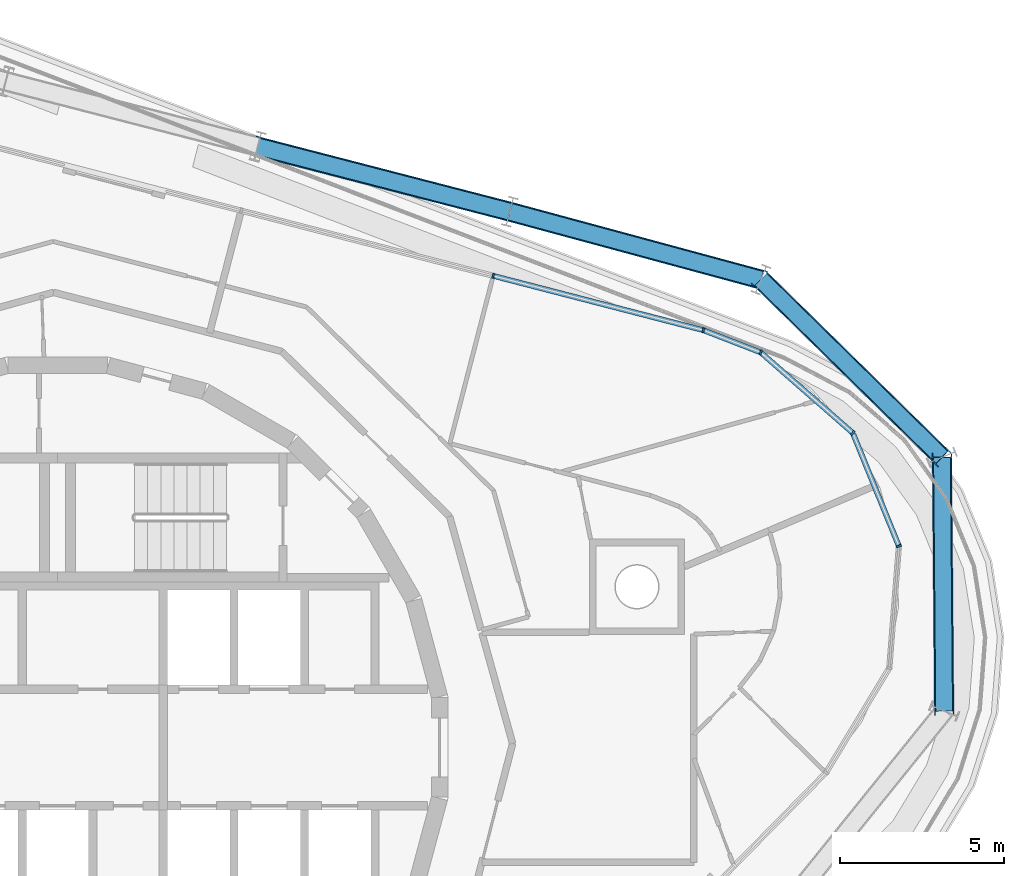
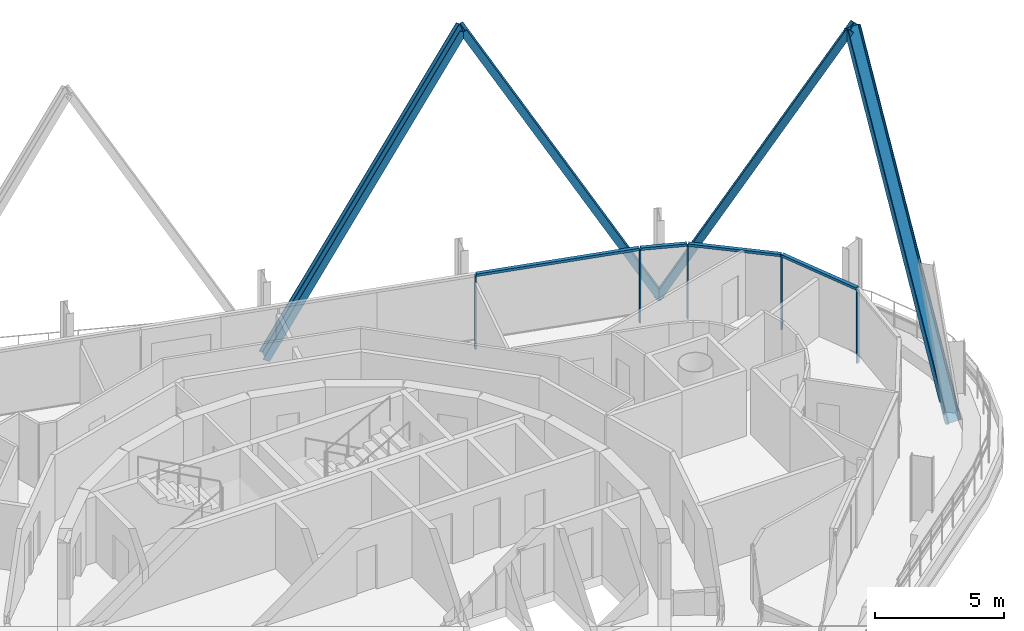
# One storey, part 7 of 18: 13 members, 2 elements without a shape of their own.
"""IFC4 building model written with IfcOpenShell, lengths in metres."""

from ifc_helpers import new_model, si_unit, direction, frame, origin, origin_2d, place, context, subcontext, project, spatial, rectangle, i_section, extrude, material, layer, layer_set, material_profile, profile_set, type_object, element, aggregate, save


model = new_model("IFC4")

# Units and contexts
model_context = context("Model", 3, precision=1e-05, world=origin(), true_north=direction((0.0, 1.0)))
body_context = subcontext(model_context, "Body", "Model", "MODEL_VIEW")
ifc_project = project(units=[si_unit("LENGTHUNIT", "METRE"), si_unit("AREAUNIT", "SQUARE_METRE"), si_unit("VOLUMEUNIT", "CUBIC_METRE"), si_unit("PLANEANGLEUNIT", "RADIAN"), si_unit("MASSUNIT", "GRAM", prefix="KILO")], contexts=[model_context])

# Site, building, storey
site_placement = place(None, origin())
site = spatial("IfcSite", under=ifc_project, at=site_placement, CompositionType="ELEMENT")
building_placement = place(site_placement, origin())
building = spatial("IfcBuilding", under=site, at=building_placement, Name="Spindle Arch Residences", CompositionType="ELEMENT")
storey_placement = place(building_placement, frame((0.0, 0.0, 298.199951171875)))
storey = spatial("IfcBuildingStorey", under=building, at=storey_placement, Name="L76", CompositionType="ELEMENT", Elevation=298.199951171875)

# Curtain wall, members
ifc_material_1 = material(Name="Aluminium bronze unitised frame with tinted glass", Category="aluminium")
ifc_layer_1 = layer(ifc_material_1, 0.159912109375)
ifc_layer_set_1 = layer_set([ifc_layer_1], Name="CW-D corner wall on the fillet arcs")
curtain_wall_type_1 = type_object("IfcCurtainWallType", Name="CW-D corner wall on the fillet arcs", PredefinedType="NOTDEFINED", material=ifc_layer_set_1)
curtain_wall_1_placement = place(storey_placement, origin())
curtain_wall_1 = element("IfcCurtainWall", 1, at=curtain_wall_1_placement, inside=storey, type_object=curtain_wall_type_1, Name="CW-D L76 run 1", PredefinedType="NOTDEFINED")
ifc_material_2 = material(Name="Aluminium bronze anodised mullion", Category="aluminium")
ifc_material_profile_1 = material_profile(ifc_material_2, rectangle(XDim=0.159912109375, YDim=0.06005859375, at=origin_2d()), Name="MU 60x160")
ifc_profile_set_1 = profile_set([ifc_material_profile_1], Name="Aluminium bronze anodised mullion")
member_type_1 = type_object("IfcMemberType", Name="Bronze mullion 60x160", PredefinedType="MULLION", material=ifc_profile_set_1)
member_1_placement = place(storey_placement, frame((25.646728515625, 6.13916015625, -0.449951171875), z_axis=(0.0, 0.0, 1.0), x_axis=(-0.926090247396, -0.377302072189, 0.0)))
member_1 = element("IfcMember", 2, at=member_1_placement, type_object=member_type_1, Name="CW-D mullion 03", PredefinedType="MULLION", context=body_context, shape_type="SweptSolid", body=[
    extrude(rectangle(XDim=0.159912109375, YDim=0.06005859375, at=origin_2d()), origin(), (0.0, 0.0, 1.0), 3.449951171875),
])
member_2_placement = place(storey_placement, frame((24.24072265625, 9.59033203125, -0.449951171875), z_axis=(0.0, 0.0, 1.0), x_axis=(-0.658251611308, -0.752797991635, 0.0)))
member_2 = element("IfcMember", 3, at=member_2_placement, type_object=member_type_1, Name="CW-D mullion 04", PredefinedType="MULLION", context=body_context, shape_type="SweptSolid", body=[
    extrude(rectangle(XDim=0.159912109375, YDim=0.06005859375, at=origin_2d()), origin(), (0.0, 0.0, 1.0), 3.449951171875),
])
member_3_placement = place(storey_placement, frame((21.435302734375, 12.04345703125, -0.449951171875), z_axis=(0.0, 0.0, 1.0), x_axis=(-0.361082099353, -0.932534030225, 0.0)))
member_3 = element("IfcMember", 4, at=member_3_placement, type_object=member_type_1, Name="CW-D mullion 05", PredefinedType="MULLION", context=body_context, shape_type="SweptSolid", body=[
    extrude(rectangle(XDim=0.159912109375, YDim=0.06005859375, at=origin_2d()), origin(), (0.0, 0.0, 1.0), 3.449951171875),
])
member_4_placement = place(storey_placement, frame((19.685791015625, 12.720947265625, -0.449951171875), z_axis=(0.0, 0.0, 1.0), x_axis=(-0.250380004054, -0.968147640378, 0.0)))
member_4 = element("IfcMember", 5, at=member_4_placement, type_object=member_type_1, Name="CW-D mullion 06", PredefinedType="MULLION", context=body_context, shape_type="SweptSolid", body=[
    extrude(rectangle(XDim=0.159912109375, YDim=0.06005859375, at=origin_2d()), origin(), (0.0, 0.0, 1.0), 3.449951171875),
])

# Curtain wall, member
ifc_material_3 = material(Name="Aluminium bronze unitised frame with tinted glass", Category="aluminium")
ifc_layer_2 = layer(ifc_material_3, 0.159912109375)
ifc_layer_set_2 = layer_set([ifc_layer_2], Name="CW-C typical residential unitised wall")
curtain_wall_type_2 = type_object("IfcCurtainWallType", Name="CW-C typical residential unitised wall", PredefinedType="NOTDEFINED", material=ifc_layer_set_2)
curtain_wall_2_placement = place(storey_placement, origin())
curtain_wall_2 = element("IfcCurtainWall", 6, at=curtain_wall_2_placement, inside=storey, type_object=curtain_wall_type_2, Name="CW-C L76 run 2", PredefinedType="NOTDEFINED")
member_5_placement = place(storey_placement, frame((13.280517578125, 14.37744140625, -0.449951171875), z_axis=(0.0, 0.0, 1.0), x_axis=(-0.250380004054, -0.968147640378, 0.0)))
member_5 = element("IfcMember", 7, at=member_5_placement, type_object=member_type_1, Name="CW-C mullion 05", PredefinedType="MULLION", context=body_context, shape_type="SweptSolid", body=[
    extrude(rectangle(XDim=0.159912109375, YDim=0.06005859375, at=origin_2d()), origin(), (0.0, 0.0, 1.0), 3.449951171875),
])
aggregate(curtain_wall_2, [member_5])

# Member
ifc_material_4 = material(Name="Aluminium bronze anodised transom", Category="aluminium")
ifc_material_profile_2 = material_profile(ifc_material_4, rectangle(XDim=0.159912109375, YDim=0.1201171875, at=origin_2d()), Name="TR 120x160")
ifc_profile_set_2 = profile_set([ifc_material_profile_2], Name="Aluminium bronze anodised transom")
member_type_2 = type_object("IfcMemberType", Name="Bronze transom 120x160", PredefinedType="USERDEFINED", material=ifc_profile_set_2)
member_6_placement = place(storey_placement, frame((25.635498046875, 6.166748046875, 3.06005859375), z_axis=(-0.377318036671, 0.926083743083, 0.0), x_axis=(-0.926083743083, -0.377318036671, 0.0)))
member_6 = element("IfcMember", 8, at=member_6_placement, type_object=member_type_2, Name="CW-D transom 03", ObjectType="TRANSOM", PredefinedType="USERDEFINED", context=body_context, shape_type="SweptSolid", body=[
    extrude(rectangle(XDim=0.159912109375, YDim=0.1201171875, at=origin_2d()), origin(), (0.0, 0.0, 1.0), 3.666748046875),
])

member_7_placement = place(storey_placement, frame((24.218017578125, 9.610107421875, 3.06005859375), z_axis=(-0.752799384177, 0.658250018749, 0.0), x_axis=(-0.658250018749, -0.752799384177, 0.0)))
member_7 = element("IfcMember", 9, at=member_7_placement, type_object=member_type_2, Name="CW-D transom 04", ObjectType="TRANSOM", PredefinedType="USERDEFINED", context=body_context, shape_type="SweptSolid", body=[
    extrude(rectangle(XDim=0.159912109375, YDim=0.1201171875, at=origin_2d()), origin(), (0.0, 0.0, 1.0), 3.666748046875),
])

member_8_placement = place(storey_placement, frame((21.4072265625, 12.054443359375, 3.06005859375), z_axis=(-0.932581237084, 0.360960158796, 0.0), x_axis=(-0.360960158796, -0.932581237084, 0.0)))
member_8 = element("IfcMember", 10, at=member_8_placement, type_object=member_type_2, Name="CW-D transom 05", ObjectType="TRANSOM", PredefinedType="USERDEFINED", context=body_context, shape_type="SweptSolid", body=[
    extrude(rectangle(XDim=0.159912109375, YDim=0.1201171875, at=origin_2d()), origin(), (0.0, 0.0, 1.0), 1.81591796875),
])

member_9_placement = place(storey_placement, frame((19.65673828125, 12.728515625, 3.06005859375), z_axis=(-0.968152514415, 0.250361156797, 0.0), x_axis=(-0.250361156797, -0.968152514415, 0.0)))
member_9 = element("IfcMember", 11, at=member_9_placement, type_object=member_type_2, Name="CW-D transom 06", ObjectType="TRANSOM", PredefinedType="USERDEFINED", context=body_context, shape_type="SweptSolid", body=[
    extrude(rectangle(XDim=0.159912109375, YDim=0.1201171875, at=origin_2d()), origin(), (0.0, 0.0, 1.0), 6.555908203125),
])

aggregate(curtain_wall_1, [member_1, member_6, member_2, member_7, member_3, member_8, member_4, member_9])

# Members
ifc_material_5 = material(Name="Steel S460ML, intumescent coating R 240", Category="steel")
ifc_material_profile_3 = material_profile(ifc_material_5, i_section(OverallWidth=0.300048828125, OverallDepth=0.60009765625, WebThickness=0.015380859375, FlangeThickness=0.030029296875, FilletRadius=0.027099609375, at=origin_2d()), Name="HEB 600")
ifc_profile_set_3 = profile_set([ifc_material_profile_3], Name="Steel S460ML, intumescent coating R 240")
member_type_3 = type_object("IfcMemberType", Name="Diagrid diagonal HEB 600", PredefinedType="BRACE", material=ifc_profile_set_3)
for number, where, z_axis, x_axis, name in (
    (12, (27.0263671875, 1.11279296875, -0.699951171875), (-0.004151390411, 0.481622113941, 0.876369160411), (0.007553671808, -0.876336606198, 0.481640005273), "Diagrid diagonal 8.1.3"),
    (13, (21.443359375, 14.263916015625, -0.699951171875), (0.343593696508, -0.337511046426, 0.876373017191), (-0.625198547965, 0.614130638287, 0.481632987594), "Diagrid diagonal 8.1.4"),
):
    element("IfcMember", number, at=place(storey_placement, frame(where, z_axis=z_axis, x_axis=x_axis)), inside=storey, type_object=member_type_3, Name=name, PredefinedType="BRACE", context=body_context, shape_type="SweptSolid", body=[
        extrude(i_section(OverallWidth=0.300048828125, OverallDepth=0.60009765625, WebThickness=0.015380859375, FlangeThickness=0.030029296875, FilletRadius=0.027099609375, at=origin_2d()), origin(), (0.0, 0.0, 1.0), 16.054931640625),
    ])
member_10_placement = place(storey_placement, frame((21.443359375, 14.263916015625, -0.699951171875), z_axis=(-0.474078437499, 0.128102753405, 0.871113838524), x_axis=(0.840953273749, -0.227237565203, 0.491081134163)))
element("IfcMember", 14, at=member_10_placement, inside=storey, type_object=member_type_3, Name="Diagrid diagonal 8.1.5", PredefinedType="BRACE", context=body_context, shape_type="SweptSolid", body=[
    extrude(i_section(OverallWidth=0.300048828125, OverallDepth=0.60009765625, WebThickness=0.015380859375, FlangeThickness=0.030029296875, FilletRadius=0.027099609375, at=origin_2d()), origin(), (0.0, 0.0, 1.0), 16.15185546875),
])
member_11_placement = place(storey_placement, frame((6.10400390625, 18.31982421875, -0.699951171875), z_axis=(0.475576196818, -0.122997492204, 0.871033235836), x_axis=(-0.843286569043, 0.218097823011, 0.491224085391)))
element("IfcMember", 15, at=member_11_placement, inside=storey, type_object=member_type_3, Name="Diagrid diagonal 8.1.6", PredefinedType="BRACE", context=body_context, shape_type="SweptSolid", body=[
    extrude(i_section(OverallWidth=0.300048828125, OverallDepth=0.60009765625, WebThickness=0.015380859375, FlangeThickness=0.030029296875, FilletRadius=0.027099609375, at=origin_2d()), origin(), (0.0, 0.0, 1.0), 16.1533203125),
])

save(model, "model.ifc")
